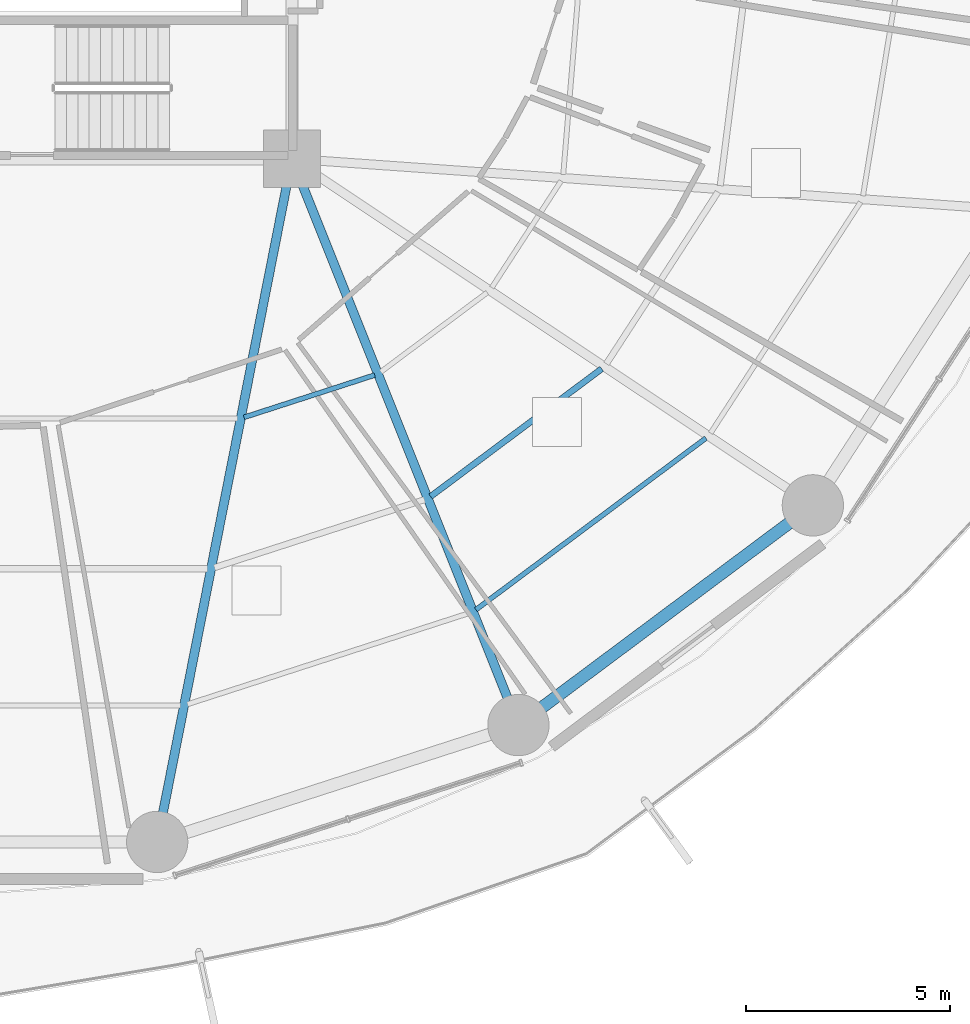
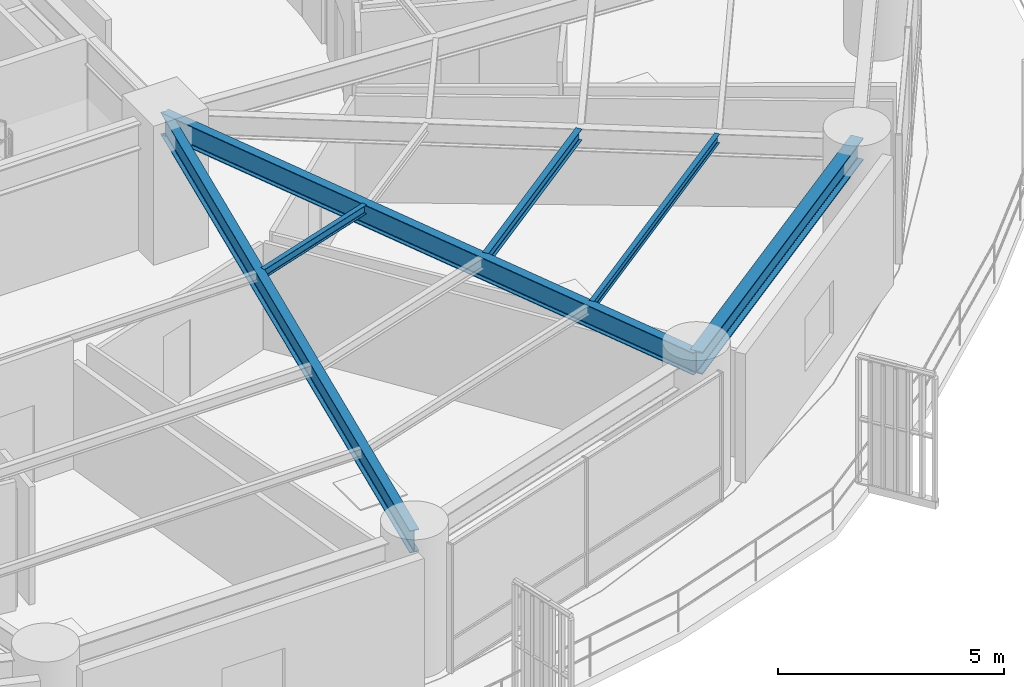
# One storey, part 9 of 33: 6 beams.
"""IFC4 building model written with IfcOpenShell, lengths in metres."""

from ifc_helpers import new_model, si_unit, direction, frame, origin, origin_2d, place, context, subcontext, project, spatial, i_section, extrude, material, material_profile, profile_set, type_object, element, save


model = new_model("IFC4")

# Units and contexts
model_context = context("Model", 3, precision=1e-05, world=origin(), true_north=direction((0.0, 1.0)))
body_context = subcontext(model_context, "Body", "Model", "MODEL_VIEW")
ifc_project = project(units=[si_unit("LENGTHUNIT", "METRE"), si_unit("AREAUNIT", "SQUARE_METRE"), si_unit("VOLUMEUNIT", "CUBIC_METRE"), si_unit("PLANEANGLEUNIT", "RADIAN"), si_unit("MASSUNIT", "GRAM", prefix="KILO")], contexts=[model_context])

# Site, building, storey
site_placement = place(None, origin())
site = spatial("IfcSite", under=ifc_project, at=site_placement, CompositionType="ELEMENT")
building_placement = place(site_placement, origin())
building = spatial("IfcBuilding", under=site, at=building_placement, Name="Kelanora Arch Commons", CompositionType="ELEMENT")
storey_placement = place(building_placement, frame((0.0, 0.0, 41.25)))
storey = spatial("IfcBuildingStorey", under=building, at=storey_placement, Name="L10", CompositionType="ELEMENT", Elevation=41.25)

# Beams
ifc_material = material(Name="Steel S355", Category="steel")
ifc_material_profile_1 = material_profile(ifc_material, i_section(OverallWidth=0.14990234375, OverallDepth=0.300048828125, WebThickness=0.007080078125, FlangeThickness=0.0107421875, FilletRadius=0.014892578125, at=origin_2d()), Name="IPE300")
ifc_profile_set_1 = profile_set([ifc_material_profile_1], Name="Steel S355")
beam_type_1 = type_object("IfcBeamType", Name="BM-JST-01", PredefinedType="JOIST", material=ifc_profile_set_1)
beam_1_placement = place(storey_placement, frame((85.39208984375, 42.738525390625, 3.340087890625), z_axis=(0.801478251559, 0.598023922831, 0.0), x_axis=(-0.598023922831, 0.801478251559, 0.0)))
element("IfcBeam", 1, at=beam_1_placement, inside=storey, type_object=beam_type_1, Name="Secondary Chord Joist BJB-30 L10", PredefinedType="JOIST", context=body_context, shape_type="SweptSolid", body=[
    extrude(i_section(OverallWidth=0.14990234375, OverallDepth=0.300048828125, WebThickness=0.007080078125, FlangeThickness=0.0107421875, FilletRadius=0.014892578125, at=origin_2d()), origin(), (0.0, 0.0, 1.0), 5.223388671875),
])
ifc_material_profile_2 = material_profile(ifc_material, i_section(OverallWidth=0.1201171875, OverallDepth=0.239990234375, WebThickness=0.006103515625, FlangeThickness=0.009765625, FilletRadius=0.014892578125, at=origin_2d()), Name="IPE240")
ifc_profile_set_2 = profile_set([ifc_material_profile_2], Name="Steel S355")
beam_type_2 = type_object("IfcBeamType", Name="BM-JST-02", PredefinedType="JOIST", material=ifc_profile_set_2)
beam_2_placement = place(storey_placement, frame((80.827880859375, 44.6748046875, 3.3701171875), z_axis=(0.951422608074, 0.30788800049, 0.0), x_axis=(-0.30788800049, 0.951422608074, 0.0)))
element("IfcBeam", 2, at=beam_2_placement, inside=storey, type_object=beam_type_2, Name="Secondary Chord Joist BJA-28 L10", PredefinedType="JOIST", context=body_context, shape_type="SweptSolid", body=[
    extrude(i_section(OverallWidth=0.1201171875, OverallDepth=0.239990234375, WebThickness=0.006103515625, FlangeThickness=0.009765625, FilletRadius=0.014892578125, at=origin_2d()), origin(), (0.0, 0.0, 1.0), 3.359619140625),
])
beam_3_placement = place(storey_placement, frame((86.5, 39.9677734375, 3.3701171875), z_axis=(0.80149131963, 0.598006408459, 0.0), x_axis=(-0.598006408459, 0.80149131963, 0.0)))
element("IfcBeam", 3, at=beam_3_placement, inside=storey, type_object=beam_type_2, Name="Secondary Chord Joist BJC-30 L10", PredefinedType="JOIST", context=body_context, shape_type="SweptSolid", body=[
    extrude(i_section(OverallWidth=0.1201171875, OverallDepth=0.239990234375, WebThickness=0.006103515625, FlangeThickness=0.009765625, FilletRadius=0.014892578125, at=origin_2d()), origin(), (0.0, 0.0, 1.0), 7.021240234375),
])
ifc_material_profile_3 = material_profile(ifc_material, i_section(OverallWidth=0.219970703125, OverallDepth=0.60009765625, WebThickness=0.011962890625, FlangeThickness=0.01904296875, FilletRadius=0.02392578125, at=origin_2d()), Name="IPE600")
ifc_profile_set_3 = profile_set([ifc_material_profile_3], Name="Steel S355")
beam_type_3 = type_object("IfcBeamType", Name="BM-RAD-Z1", PredefinedType="BEAM", material=ifc_profile_set_3)
beam_4_placement = place(storey_placement, frame((82.0, 51.0, 3.18994140625), z_axis=(-0.19356352044, -0.981087745084, 0.0), x_axis=(0.981087745084, -0.19356352044, 0.0)))
element("IfcBeam", 4, at=beam_4_placement, inside=storey, type_object=beam_type_3, Name="Radial Floor Girder BR-28 L10", PredefinedType="BEAM", context=body_context, shape_type="SweptSolid", body=[
    extrude(i_section(OverallWidth=0.219970703125, OverallDepth=0.60009765625, WebThickness=0.011962890625, FlangeThickness=0.01904296875, FilletRadius=0.02392578125, at=origin_2d()), origin(), (0.0, 0.0, 1.0), 17.036376953125),
])
beam_5_placement = place(storey_placement, frame((82.0, 51.0, 3.18994140625), z_axis=(0.371300398117, -0.928512797089, 0.0), x_axis=(0.928512797089, 0.371300398117, 0.0)))
element("IfcBeam", 5, at=beam_5_placement, inside=storey, type_object=beam_type_3, Name="Radial Floor Girder BR-30 L10", PredefinedType="BEAM", context=body_context, shape_type="SweptSolid", body=[
    extrude(i_section(OverallWidth=0.219970703125, OverallDepth=0.60009765625, WebThickness=0.011962890625, FlangeThickness=0.01904296875, FilletRadius=0.02392578125, at=origin_2d()), origin(), (0.0, 0.0, 1.0), 14.920654296875),
])
ifc_material_profile_4 = material_profile(ifc_material, i_section(OverallWidth=0.300048828125, OverallDepth=0.60009765625, WebThickness=0.015380859375, FlangeThickness=0.030029296875, FilletRadius=0.027099609375, at=origin_2d()), Name="HEB600")
ifc_profile_set_4 = profile_set([ifc_material_profile_4], Name="Steel S355")
beam_type_4 = type_object("IfcBeamType", Name="BM-SPN-Z1", PredefinedType="SPANDREL", material=ifc_profile_set_4)
beam_6_placement = place(storey_placement, frame((87.5400390625, 37.14599609375, 3.18994140625), z_axis=(0.801467504127, 0.598038326388, 0.0), x_axis=(-0.598038326388, 0.801467504127, 0.0)))
element("IfcBeam", 6, at=beam_6_placement, inside=storey, type_object=beam_type_4, Name="Perimeter Spandrel Beam BS-30 L10", PredefinedType="SPANDREL", context=body_context, shape_type="SweptSolid", body=[
    extrude(i_section(OverallWidth=0.300048828125, OverallDepth=0.60009765625, WebThickness=0.015380859375, FlangeThickness=0.030029296875, FilletRadius=0.027099609375, at=origin_2d()), origin(), (0.0, 0.0, 1.0), 8.989013671875),
])

save(model, "model.ifc")
